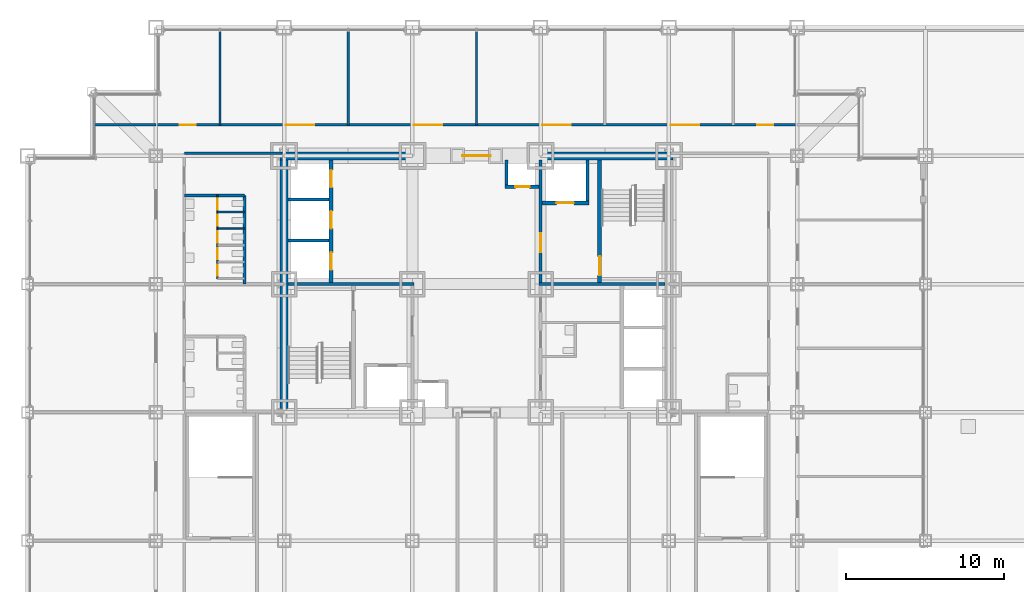
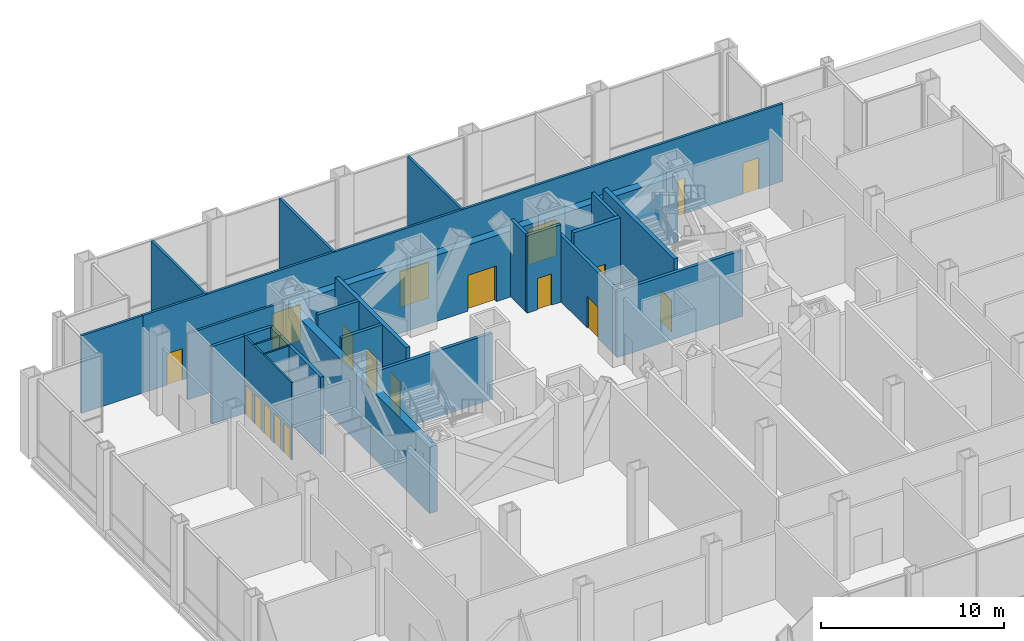
# One storey, part 15 of 18: 24 walls, 19 doors, 19 openings.
"""IFC4 building model written with IfcOpenShell, lengths in metres."""

from ifc_helpers import new_model, si_unit, direction, frame, frame_2d, origin, place, context, subcontext, project, spatial, rectangle, extrude, material, layer, layer_set, type_object, element, fill, save


model = new_model("IFC4")

# Units and contexts
model_context = context("Model", 3, precision=1e-05, world=origin(), true_north=direction((0.0, 1.0)))
body_context = subcontext(model_context, "Body", "Model", "MODEL_VIEW")
ifc_project = project(units=[si_unit("LENGTHUNIT", "METRE"), si_unit("AREAUNIT", "SQUARE_METRE"), si_unit("VOLUMEUNIT", "CUBIC_METRE"), si_unit("PLANEANGLEUNIT", "RADIAN"), si_unit("MASSUNIT", "GRAM", prefix="KILO")], contexts=[model_context])

# Site, building, storey
site_placement = place(None, origin())
site = spatial("IfcSite", under=ifc_project, at=site_placement, CompositionType="ELEMENT")
building_placement = place(site_placement, origin())
building = spatial("IfcBuilding", under=site, at=building_placement, Name="Kopane Lantern Tower", CompositionType="ELEMENT")
storey_placement = place(building_placement, frame((0.0, 0.0, 22.199951171875)))
storey = spatial("IfcBuildingStorey", under=building, at=storey_placement, Name="L04", CompositionType="ELEMENT", Elevation=22.199951171875)

# Wall, openings, doors
ifc_material_1 = material(Name="Moisture-resistant board on steel studs", Category="steel")
ifc_layer_1 = layer(ifc_material_1, 0.10009765625)
ifc_layer_set_1 = layer_set([ifc_layer_1], Name="BATHROOM WALL 100")
wall_type_1 = type_object("IfcWallType", Name="BATHROOM WALL 100", PredefinedType="PARTITIONING", material=ifc_layer_set_1)
wall_1_placement = place(storey_placement, frame((12.0, 32.75, 0.0), z_axis=(0.0, 0.0, 1.0), x_axis=(0.0, 1.0, 0.0)))
wall_1 = element("IfcWall", 1, at=wall_1_placement, inside=storey, type_object=wall_type_1, Name="Bathroom Wall 100 L04", PredefinedType="PARTITIONING", context=body_context, shape_type="SweptSolid", body=[
    extrude(rectangle(XDim=5.25, YDim=0.10009765625, at=frame_2d((2.625, 0.0))), origin(), (0.0, 0.0, 1.0), 5.18994140625),
])
opening_1_placement = place(wall_1_placement, frame((0.175048828125, 0.0, 0.0)))
opening_1 = element("IfcOpeningElement", 2, at=opening_1_placement, cuts=wall_1, Name="Opening L04-036", PredefinedType="OPENING", context=body_context, shape_type="SweptSolid", body=[
    extrude(rectangle(XDim=0.699951171875, YDim=2.0, at=frame_2d((0.35009765625, 1.0))), frame((0.0, 0.06005859375, 0.0), z_axis=(0.0, -1.0, 0.0), x_axis=(1.0, 0.0, 0.0)), (0.0, 0.0, 1.0), 0.1201171875),
])
opening_2_placement = place(wall_1_placement, frame((1.22509765625, 0.0, 0.0)))
opening_2 = element("IfcOpeningElement", 3, at=opening_2_placement, cuts=wall_1, Name="Opening L04-037", PredefinedType="OPENING", context=body_context, shape_type="SweptSolid", body=[
    extrude(rectangle(XDim=0.699951171875, YDim=2.0, at=frame_2d((0.35009765625, 1.0))), frame((0.0, 0.06005859375, 0.0), z_axis=(0.0, -1.0, 0.0), x_axis=(1.0, 0.0, 0.0)), (0.0, 0.0, 1.0), 0.1201171875),
])
opening_3_placement = place(wall_1_placement, frame((2.27490234375, 0.0, 0.0)))
opening_3 = element("IfcOpeningElement", 4, at=opening_3_placement, cuts=wall_1, Name="Opening L04-038", PredefinedType="OPENING", context=body_context, shape_type="SweptSolid", body=[
    extrude(rectangle(XDim=0.699951171875, YDim=2.0, at=frame_2d((0.35009765625, 1.0))), frame((0.0, 0.06005859375, 0.0), z_axis=(0.0, -1.0, 0.0), x_axis=(1.0, 0.0, 0.0)), (0.0, 0.0, 1.0), 0.1201171875),
])
opening_4_placement = place(wall_1_placement, frame((3.324951171875, 0.0, 0.0)))
opening_4 = element("IfcOpeningElement", 5, at=opening_4_placement, cuts=wall_1, Name="Opening L04-039", PredefinedType="OPENING", context=body_context, shape_type="SweptSolid", body=[
    extrude(rectangle(XDim=0.699951171875, YDim=2.0, at=frame_2d((0.35009765625, 1.0))), frame((0.0, 0.06005859375, 0.0), z_axis=(0.0, -1.0, 0.0), x_axis=(1.0, 0.0, 0.0)), (0.0, 0.0, 1.0), 0.1201171875),
])
opening_5_placement = place(wall_1_placement, frame((4.35009765625, 0.0, 0.0)))
opening_5 = element("IfcOpeningElement", 6, at=opening_5_placement, cuts=wall_1, Name="Opening L04-040", PredefinedType="OPENING", context=body_context, shape_type="SweptSolid", body=[
    extrude(rectangle(XDim=0.699951171875, YDim=2.0, at=frame_2d((0.35009765625, 1.0))), frame((0.0, 0.06005859375, 0.0), z_axis=(0.0, -1.0, 0.0), x_axis=(1.0, 0.0, 0.0)), (0.0, 0.0, 1.0), 0.1201171875),
])
ifc_material_2 = material(Name="Timber door set", Category="wood")
door_type_1 = type_object("IfcDoorType", Name="DOOR D13 700x2000 WC CUBICLE", OperationType="SINGLE_SWING_LEFT", PredefinedType="DOOR", material=ifc_material_2)
door_1_placement = place(opening_1_placement, origin())
door_1 = element("IfcDoor", 7, at=door_1_placement, inside=storey, type_object=door_type_1, Name="Door L04-036", OperationType="SINGLE_SWING_LEFT", OverallHeight=2.0, OverallWidth=0.699951171875, PredefinedType="DOOR", context=body_context, shape_type="SweptSolid", body=[
    extrude(rectangle(XDim=0.699951171875, YDim=2.0, at=frame_2d((0.35009765625, 1.0))), frame((0.0, 0.02490234375, 0.0), z_axis=(0.0, -1.0, 0.0), x_axis=(1.0, 0.0, 0.0)), (0.0, 0.0, 1.0), 0.050048828125),
])
fill(opening_1, door_1)
door_2_placement = place(opening_2_placement, origin())
door_2 = element("IfcDoor", 8, at=door_2_placement, inside=storey, type_object=door_type_1, Name="Door L04-037", OperationType="SINGLE_SWING_RIGHT", OverallHeight=2.0, OverallWidth=0.699951171875, PredefinedType="DOOR", context=body_context, shape_type="SweptSolid", body=[
    extrude(rectangle(XDim=0.699951171875, YDim=2.0, at=frame_2d((0.35009765625, 1.0))), frame((0.0, 0.02490234375, 0.0), z_axis=(0.0, -1.0, 0.0), x_axis=(1.0, 0.0, 0.0)), (0.0, 0.0, 1.0), 0.050048828125),
])
fill(opening_2, door_2)
door_3_placement = place(opening_3_placement, origin())
door_3 = element("IfcDoor", 9, at=door_3_placement, inside=storey, type_object=door_type_1, Name="Door L04-038", OperationType="SINGLE_SWING_LEFT", OverallHeight=2.0, OverallWidth=0.699951171875, PredefinedType="DOOR", context=body_context, shape_type="SweptSolid", body=[
    extrude(rectangle(XDim=0.699951171875, YDim=2.0, at=frame_2d((0.35009765625, 1.0))), frame((0.0, 0.02490234375, 0.0), z_axis=(0.0, -1.0, 0.0), x_axis=(1.0, 0.0, 0.0)), (0.0, 0.0, 1.0), 0.050048828125),
])
fill(opening_3, door_3)
door_4_placement = place(opening_4_placement, origin())
door_4 = element("IfcDoor", 10, at=door_4_placement, inside=storey, type_object=door_type_1, Name="Door L04-039", OperationType="SINGLE_SWING_RIGHT", OverallHeight=2.0, OverallWidth=0.699951171875, PredefinedType="DOOR", context=body_context, shape_type="SweptSolid", body=[
    extrude(rectangle(XDim=0.699951171875, YDim=2.0, at=frame_2d((0.35009765625, 1.0))), frame((0.0, 0.02490234375, 0.0), z_axis=(0.0, -1.0, 0.0), x_axis=(1.0, 0.0, 0.0)), (0.0, 0.0, 1.0), 0.050048828125),
])
fill(opening_4, door_4)
door_5_placement = place(opening_5_placement, origin())
door_5 = element("IfcDoor", 11, at=door_5_placement, inside=storey, type_object=door_type_1, Name="Door L04-040", OperationType="SINGLE_SWING_LEFT", OverallHeight=2.0, OverallWidth=0.699951171875, PredefinedType="DOOR", context=body_context, shape_type="SweptSolid", body=[
    extrude(rectangle(XDim=0.699951171875, YDim=2.0, at=frame_2d((0.35009765625, 1.0))), frame((0.0, 0.02490234375, 0.0), z_axis=(0.0, -1.0, 0.0), x_axis=(1.0, 0.0, 0.0)), (0.0, 0.0, 1.0), 0.050048828125),
])
fill(opening_5, door_5)

# Walls
for number, where, z_axis, x_axis, name in (
    (12, (12.0, 35.89990234375, 0.0), (0.0, 0.0, 1.0), (1.0, 0.0, 0.0), "Bathroom Wall 100 L04"),
    (13, (12.0, 36.949951171875, 0.0), (0.0, 0.0, 1.0), (1.0, 0.0, 0.0), "Bathroom Wall 100 L04"),
):
    element("IfcWall", number, at=place(storey_placement, frame(where, z_axis=z_axis, x_axis=x_axis)), inside=storey, type_object=wall_type_1, Name=name, PredefinedType="PARTITIONING", context=body_context, shape_type="SweptSolid", body=[
        extrude(rectangle(XDim=1.699951171875, YDim=0.10009765625, at=frame_2d((0.85009765625, 0.0))), origin(), (0.0, 0.0, 1.0), 5.18994140625),
    ])

# Wall, opening, door
ifc_material_3 = material(Name="Gypsum shaft wall EI 120", Category="gypsum")
ifc_layer_2 = layer(ifc_material_3, 0.5)
ifc_layer_set_2 = layer_set([ifc_layer_2], Name="CORE PERIMETER WALL 500 EI 120")
wall_type_2 = type_object("IfcWallType", Name="CORE PERIMETER WALL 500 EI 120", PredefinedType="SOLIDWALL", material=ifc_layer_set_2)
wall_2_placement = place(storey_placement, frame((15.949951171875, 40.5, 0.0), z_axis=(0.0, 0.0, 1.0), x_axis=(1.0, 0.0, 0.0)))
wall_2 = element("IfcWall", 14, at=wall_2_placement, inside=storey, type_object=wall_type_2, Name="Core shaft wall L04 PN", PredefinedType="SOLIDWALL", context=body_context, shape_type="SweptSolid", body=[
    extrude(rectangle(XDim=24.800048828125, YDim=0.5, at=frame_2d((12.39990234375, 0.0))), origin(), (0.0, 0.0, 1.0), 4.427734375),
])
opening_6_placement = place(wall_2_placement, frame((11.5, 0.0, 0.0)))
opening_6 = element("IfcOpeningElement", 15, at=opening_6_placement, cuts=wall_2, Name="Opening 04.CE-N", PredefinedType="OPENING", context=body_context, shape_type="SweptSolid", body=[
    extrude(rectangle(XDim=1.800048828125, YDim=2.39990234375, at=frame_2d((0.89990234375, 1.199951171875))), frame((0.0, 0.260009765625, 0.0), z_axis=(0.0, -1.0, 0.0), x_axis=(1.0, 0.0, 0.0)), (0.0, 0.0, 1.0), 0.52001953125),
])
ifc_material_4 = material(Name="Steel door set", Category="steel")
door_type_2 = type_object("IfcDoorType", Name="CORE ENTRY DOOR 1800x2400 FD60S", OperationType="DOUBLE_DOOR_SINGLE_SWING", PredefinedType="DOOR", material=ifc_material_4)
door_6_placement = place(opening_6_placement, origin())
door_6 = element("IfcDoor", 16, at=door_6_placement, inside=storey, type_object=door_type_2, Name="Core entry door L04 north", OperationType="DOUBLE_DOOR_SINGLE_SWING", OverallHeight=2.39990234375, OverallWidth=1.800048828125, PredefinedType="DOOR", context=body_context, shape_type="SweptSolid", body=[
    extrude(rectangle(XDim=1.800048828125, YDim=2.39990234375, at=frame_2d((0.89990234375, 1.199951171875))), frame((0.0, 0.02490234375, 0.0), z_axis=(0.0, -1.0, 0.0), x_axis=(1.0, 0.0, 0.0)), (0.0, 0.0, 1.0), 0.050048828125),
])
fill(opening_6, door_6)

# Wall
wall_3_placement = place(storey_placement, frame((16.199951171875, 24.550048828125, 0.0), z_axis=(0.0, 0.0, 1.0), x_axis=(0.0, 1.0, 0.0)))
element("IfcWall", 17, at=wall_3_placement, inside=storey, type_object=wall_type_2, Name="Core shaft wall L04 PW", PredefinedType="SOLIDWALL", context=body_context, shape_type="SweptSolid", body=[
    extrude(rectangle(XDim=15.699951171875, YDim=0.5, at=frame_2d((7.85009765625, 0.0))), origin(), (0.0, 0.0, 1.0), 4.427734375),
])

# Wall, openings, doors
ifc_material_5 = material(Name="Gypsum shaft wall EI 120", Category="gypsum")
ifc_layer_3 = layer(ifc_material_5, 0.25)
ifc_layer_set_3 = layer_set([ifc_layer_3], Name="CORE SHAFT WALL 250 EI 120")
wall_type_3 = type_object("IfcWallType", Name="CORE SHAFT WALL 250 EI 120", PredefinedType="SOLIDWALL", material=ifc_layer_set_3)
wall_4_placement = place(storey_placement, frame((19.175048828125, 32.5, 0.0), z_axis=(0.0, 0.0, 1.0), x_axis=(0.0, 1.0, 0.0)))
wall_4 = element("IfcWall", 18, at=wall_4_placement, inside=storey, type_object=wall_type_3, Name="Core shaft wall L04 XLH", PredefinedType="SOLIDWALL", context=body_context, shape_type="SweptSolid", body=[
    extrude(rectangle(XDim=7.75, YDim=0.25, at=frame_2d((3.875, 0.0))), origin(), (0.0, 0.0, 1.0), 5.18994140625),
])
opening_7_placement = place(wall_4_placement, frame((0.800048828125, 0.0, 0.0)))
opening_7 = element("IfcOpeningElement", 19, at=opening_7_placement, cuts=wall_4, Name="Opening 04.LD-LH1", PredefinedType="OPENING", context=body_context, shape_type="SweptSolid", body=[
    extrude(rectangle(XDim=1.10009765625, YDim=2.39990234375, at=frame_2d((0.550048828125, 1.199951171875))), frame((0.0, 0.135009765625, 0.0), z_axis=(0.0, -1.0, 0.0), x_axis=(1.0, 0.0, 0.0)), (0.0, 0.0, 1.0), 0.27001953125),
])
opening_8_placement = place(wall_4_placement, frame((3.39990234375, 0.0, 0.0)))
opening_8 = element("IfcOpeningElement", 20, at=opening_8_placement, cuts=wall_4, Name="Opening 04.LD-LH2", PredefinedType="OPENING", context=body_context, shape_type="SweptSolid", body=[
    extrude(rectangle(XDim=1.10009765625, YDim=2.39990234375, at=frame_2d((0.550048828125, 1.199951171875))), frame((0.0, 0.135009765625, 0.0), z_axis=(0.0, -1.0, 0.0), x_axis=(1.0, 0.0, 0.0)), (0.0, 0.0, 1.0), 0.27001953125),
])
opening_9_placement = place(wall_4_placement, frame((6.0, 0.0, 0.0)))
opening_9 = element("IfcOpeningElement", 21, at=opening_9_placement, cuts=wall_4, Name="Opening 04.LD-LH3", PredefinedType="OPENING", context=body_context, shape_type="SweptSolid", body=[
    extrude(rectangle(XDim=1.10009765625, YDim=2.39990234375, at=frame_2d((0.550048828125, 1.199951171875))), frame((0.0, 0.135009765625, 0.0), z_axis=(0.0, -1.0, 0.0), x_axis=(1.0, 0.0, 0.0)), (0.0, 0.0, 1.0), 0.27001953125),
])
ifc_material_6 = material(Name="Steel door set", Category="steel")
door_type_3 = type_object("IfcDoorType", Name="LIFT LANDING DOOR 1100x2400 FD60", OperationType="DOUBLE_DOOR_SLIDING", PredefinedType="DOOR", material=ifc_material_6)
door_7_placement = place(opening_7_placement, origin())
door_7 = element("IfcDoor", 22, at=door_7_placement, inside=storey, type_object=door_type_3, Name="Landing door LH1 L04", OperationType="DOUBLE_DOOR_SLIDING", OverallHeight=2.39990234375, OverallWidth=1.10009765625, PredefinedType="DOOR", context=body_context, shape_type="SweptSolid", body=[
    extrude(rectangle(XDim=1.10009765625, YDim=2.39990234375, at=frame_2d((0.550048828125, 1.199951171875))), frame((0.0, 0.02490234375, 0.0), z_axis=(0.0, -1.0, 0.0), x_axis=(1.0, 0.0, 0.0)), (0.0, 0.0, 1.0), 0.050048828125),
])
fill(opening_7, door_7)
door_8_placement = place(opening_8_placement, origin())
door_8 = element("IfcDoor", 23, at=door_8_placement, inside=storey, type_object=door_type_3, Name="Landing door LH2 L04", OperationType="DOUBLE_DOOR_SLIDING", OverallHeight=2.39990234375, OverallWidth=1.10009765625, PredefinedType="DOOR", context=body_context, shape_type="SweptSolid", body=[
    extrude(rectangle(XDim=1.10009765625, YDim=2.39990234375, at=frame_2d((0.550048828125, 1.199951171875))), frame((0.0, 0.02490234375, 0.0), z_axis=(0.0, -1.0, 0.0), x_axis=(1.0, 0.0, 0.0)), (0.0, 0.0, 1.0), 0.050048828125),
])
fill(opening_8, door_8)
door_9_placement = place(opening_9_placement, origin())
door_9 = element("IfcDoor", 24, at=door_9_placement, inside=storey, type_object=door_type_3, Name="Landing door LH3 L04", OperationType="DOUBLE_DOOR_SLIDING", OverallHeight=2.39990234375, OverallWidth=1.10009765625, PredefinedType="DOOR", context=body_context, shape_type="SweptSolid", body=[
    extrude(rectangle(XDim=1.10009765625, YDim=2.39990234375, at=frame_2d((0.550048828125, 1.199951171875))), frame((0.0, 0.02490234375, 0.0), z_axis=(0.0, -1.0, 0.0), x_axis=(1.0, 0.0, 0.0)), (0.0, 0.0, 1.0), 0.050048828125),
])
fill(opening_9, door_9)

# Wall, opening, door
wall_5_placement = place(storey_placement, frame((36.125, 32.5, 0.0), z_axis=(0.0, 0.0, 1.0), x_axis=(0.0, 1.0, 0.0)))
wall_5 = element("IfcWall", 25, at=wall_5_placement, inside=storey, type_object=wall_type_3, Name="Core shaft wall L04 XST2", PredefinedType="SOLIDWALL", context=body_context, shape_type="SweptSolid", body=[
    extrude(rectangle(XDim=7.75, YDim=0.25, at=frame_2d((3.875, 0.0))), origin(), (0.0, 0.0, 1.0), 5.18994140625),
])
opening_10_placement = place(wall_5_placement, frame((0.449951171875, 0.0, 0.0)))
opening_10 = element("IfcOpeningElement", 26, at=opening_10_placement, cuts=wall_5, Name="Opening 04.SD2", PredefinedType="OPENING", context=body_context, shape_type="SweptSolid", body=[
    extrude(rectangle(XDim=1.199951171875, YDim=2.10009765625, at=frame_2d((0.60009765625, 1.050048828125))), frame((0.0, 0.135009765625, 0.0), z_axis=(0.0, -1.0, 0.0), x_axis=(1.0, 0.0, 0.0)), (0.0, 0.0, 1.0), 0.27001953125),
])
ifc_material_7 = material(Name="Steel door set", Category="steel")
door_type_4 = type_object("IfcDoorType", Name="STAIR DOOR 1200x2100 FD60S", OperationType="SINGLE_SWING_LEFT", PredefinedType="DOOR", material=ifc_material_7)
door_10_placement = place(opening_10_placement, origin())
door_10 = element("IfcDoor", 27, at=door_10_placement, inside=storey, type_object=door_type_4, Name="Stair door ST2 L04", OperationType="SINGLE_SWING_RIGHT", OverallHeight=2.10009765625, OverallWidth=1.199951171875, PredefinedType="DOOR", context=body_context, shape_type="SweptSolid", body=[
    extrude(rectangle(XDim=1.199951171875, YDim=2.10009765625, at=frame_2d((0.60009765625, 1.050048828125))), frame((0.0, 0.02490234375, 0.0), z_axis=(0.0, -1.0, 0.0), x_axis=(1.0, 0.0, 0.0)), (0.0, 0.0, 1.0), 0.050048828125),
])
fill(opening_10, door_10)

wall_6_placement = place(storey_placement, frame((32.5, 37.52490234375, 0.0), z_axis=(0.0, 0.0, 1.0), x_axis=(1.0, 0.0, 0.0)))
wall_6 = element("IfcWall", 28, at=wall_6_placement, inside=storey, type_object=wall_type_3, Name="Core shaft wall L04 YLF2", PredefinedType="SOLIDWALL", context=body_context, shape_type="SweptSolid", body=[
    extrude(rectangle(XDim=2.949951171875, YDim=0.25, at=frame_2d((1.47509765625, 0.0))), origin(), (0.0, 0.0, 1.0), 5.18994140625),
])
opening_11_placement = place(wall_6_placement, frame((0.89990234375, 0.0, 0.0)))
opening_11 = element("IfcOpeningElement", 29, at=opening_11_placement, cuts=wall_6, Name="Opening 04.LD-LF2", PredefinedType="OPENING", context=body_context, shape_type="SweptSolid", body=[
    extrude(rectangle(XDim=1.10009765625, YDim=2.39990234375, at=frame_2d((0.550048828125, 1.199951171875))), frame((0.0, 0.135009765625, 0.0), z_axis=(0.0, -1.0, 0.0), x_axis=(1.0, 0.0, 0.0)), (0.0, 0.0, 1.0), 0.27001953125),
])
door_11_placement = place(opening_11_placement, origin())
door_11 = element("IfcDoor", 30, at=door_11_placement, inside=storey, type_object=door_type_3, Name="Landing door LF2 L04", OperationType="DOUBLE_DOOR_SLIDING", OverallHeight=2.39990234375, OverallWidth=1.10009765625, PredefinedType="DOOR", context=body_context, shape_type="SweptSolid", body=[
    extrude(rectangle(XDim=1.10009765625, YDim=2.39990234375, at=frame_2d((0.550048828125, 1.199951171875))), frame((0.0, 0.02490234375, 0.0), z_axis=(0.0, -1.0, 0.0), x_axis=(1.0, 0.0, 0.0)), (0.0, 0.0, 1.0), 0.050048828125),
])
fill(opening_11, door_11)

# Wall, openings, doors
ifc_material_8 = material(Name="Gypsum board on steel studs", Category="steel")
ifc_layer_4 = layer(ifc_material_8, 0.14990234375)
ifc_layer_set_4 = layer_set([ifc_layer_4], Name="CORRIDOR WALL 150 EI 60")
wall_type_4 = type_object("IfcWallType", Name="CORRIDOR WALL 150 EI 60", PredefinedType="PARTITIONING", material=ifc_layer_set_4)
wall_7_placement = place(storey_placement, frame((8.10009765625, 42.449951171875, 0.0), z_axis=(0.0, 0.0, 1.0), x_axis=(1.0, 0.0, 0.0)))
wall_7 = element("IfcWall", 31, at=wall_7_placement, inside=storey, type_object=wall_type_4, Name="Corridor Wall 150 Ei 60 L04", PredefinedType="PARTITIONING", context=body_context, shape_type="SweptSolid", body=[
    extrude(rectangle(XDim=40.5, YDim=0.14990234375, at=frame_2d((20.25, 0.0))), origin(), (0.0, 0.0, 1.0), 5.18994140625),
])
opening_12_placement = place(wall_7_placement, frame((8.199951171875, 0.0, 0.0)))
opening_12 = element("IfcOpeningElement", 32, at=opening_12_placement, cuts=wall_7, Name="Opening L04-015", PredefinedType="OPENING", context=body_context, shape_type="SweptSolid", body=[
    extrude(rectangle(XDim=1.800048828125, YDim=2.39990234375, at=frame_2d((0.89990234375, 1.199951171875))), frame((0.0, 0.0849609375, 0.0), z_axis=(0.0, -1.0, 0.0), x_axis=(1.0, 0.0, 0.0)), (0.0, 0.0, 1.0), 0.169921875),
])
opening_13_placement = place(wall_7_placement, frame((16.300048828125, 0.0, 0.0)))
opening_13 = element("IfcOpeningElement", 33, at=opening_13_placement, cuts=wall_7, Name="Opening L04-016", PredefinedType="OPENING", context=body_context, shape_type="SweptSolid", body=[
    extrude(rectangle(XDim=1.800048828125, YDim=2.39990234375, at=frame_2d((0.89990234375, 1.199951171875))), frame((0.0, 0.0849609375, 0.0), z_axis=(0.0, -1.0, 0.0), x_axis=(1.0, 0.0, 0.0)), (0.0, 0.0, 1.0), 0.169921875),
])
opening_14_placement = place(wall_7_placement, frame((24.39990234375, 0.0, 0.0)))
opening_14 = element("IfcOpeningElement", 34, at=opening_14_placement, cuts=wall_7, Name="Opening L04-017", PredefinedType="OPENING", context=body_context, shape_type="SweptSolid", body=[
    extrude(rectangle(XDim=1.800048828125, YDim=2.39990234375, at=frame_2d((0.89990234375, 1.199951171875))), frame((0.0, 0.0849609375, 0.0), z_axis=(0.0, -1.0, 0.0), x_axis=(1.0, 0.0, 0.0)), (0.0, 0.0, 1.0), 0.169921875),
])
opening_15_placement = place(wall_7_placement, frame((32.5, 0.0, 0.0)))
opening_15 = element("IfcOpeningElement", 35, at=opening_15_placement, cuts=wall_7, Name="Opening L04-018", PredefinedType="OPENING", context=body_context, shape_type="SweptSolid", body=[
    extrude(rectangle(XDim=1.800048828125, YDim=2.39990234375, at=frame_2d((0.89990234375, 1.199951171875))), frame((0.0, 0.0849609375, 0.0), z_axis=(0.0, -1.0, 0.0), x_axis=(1.0, 0.0, 0.0)), (0.0, 0.0, 1.0), 0.169921875),
])
opening_16_placement = place(wall_7_placement, frame((37.97509765625, 0.0, 0.0)))
opening_16 = element("IfcOpeningElement", 36, at=opening_16_placement, cuts=wall_7, Name="Opening L04-032", PredefinedType="OPENING", context=body_context, shape_type="SweptSolid", body=[
    extrude(rectangle(XDim=1.0, YDim=2.10009765625, at=frame_2d((0.5, 1.050048828125))), frame((0.0, 0.0849609375, 0.0), z_axis=(0.0, -1.0, 0.0), x_axis=(1.0, 0.0, 0.0)), (0.0, 0.0, 1.0), 0.169921875),
])
opening_17_placement = place(wall_7_placement, frame((1.52490234375, 0.0, 0.0)))
opening_17 = element("IfcOpeningElement", 37, at=opening_17_placement, cuts=wall_7, Name="Opening L04-033", PredefinedType="OPENING", context=body_context, shape_type="SweptSolid", body=[
    extrude(rectangle(XDim=1.0, YDim=2.10009765625, at=frame_2d((0.5, 1.050048828125))), frame((0.0, 0.0849609375, 0.0), z_axis=(0.0, -1.0, 0.0), x_axis=(1.0, 0.0, 0.0)), (0.0, 0.0, 1.0), 0.169921875),
])
ifc_material_9 = material(Name="Steel door set", Category="steel")
door_type_5 = type_object("IfcDoorType", Name="DOOR D5 1000x2100 FD60", OperationType="SINGLE_SWING_LEFT", PredefinedType="DOOR", material=ifc_material_9)
door_12_placement = place(opening_16_placement, origin())
door_12 = element("IfcDoor", 38, at=door_12_placement, inside=storey, type_object=door_type_5, Name="Door L04-032", OperationType="SINGLE_SWING_LEFT", OverallHeight=2.10009765625, OverallWidth=1.0, PredefinedType="DOOR", context=body_context, shape_type="SweptSolid", body=[
    extrude(rectangle(XDim=1.0, YDim=2.10009765625, at=frame_2d((0.5, 1.050048828125))), frame((0.0, 0.02490234375, 0.0), z_axis=(0.0, -1.0, 0.0), x_axis=(1.0, 0.0, 0.0)), (0.0, 0.0, 1.0), 0.050048828125),
])
fill(opening_16, door_12)
door_13_placement = place(opening_17_placement, origin())
door_13 = element("IfcDoor", 39, at=door_13_placement, inside=storey, type_object=door_type_5, Name="Door L04-033", OperationType="SINGLE_SWING_RIGHT", OverallHeight=2.10009765625, OverallWidth=1.0, PredefinedType="DOOR", context=body_context, shape_type="SweptSolid", body=[
    extrude(rectangle(XDim=1.0, YDim=2.10009765625, at=frame_2d((0.5, 1.050048828125))), frame((0.0, 0.02490234375, 0.0), z_axis=(0.0, -1.0, 0.0), x_axis=(1.0, 0.0, 0.0)), (0.0, 0.0, 1.0), 0.050048828125),
])
fill(opening_17, door_13)
ifc_material_10 = material(Name="Steel door set", Category="steel")
door_type_6 = type_object("IfcDoorType", Name="DOOR D6 1800x2400 FD30S", OperationType="SINGLE_SWING_LEFT", PredefinedType="DOOR", material=ifc_material_10)
door_14_placement = place(opening_12_placement, origin())
door_14 = element("IfcDoor", 40, at=door_14_placement, inside=storey, type_object=door_type_6, Name="Door L04-015", OperationType="DOUBLE_DOOR_SINGLE_SWING", OverallHeight=2.39990234375, OverallWidth=1.800048828125, PredefinedType="DOOR", context=body_context, shape_type="SweptSolid", body=[
    extrude(rectangle(XDim=1.800048828125, YDim=2.39990234375, at=frame_2d((0.89990234375, 1.199951171875))), frame((0.0, 0.02490234375, 0.0), z_axis=(0.0, -1.0, 0.0), x_axis=(1.0, 0.0, 0.0)), (0.0, 0.0, 1.0), 0.050048828125),
])
fill(opening_12, door_14)
door_15_placement = place(opening_13_placement, origin())
door_15 = element("IfcDoor", 41, at=door_15_placement, inside=storey, type_object=door_type_6, Name="Door L04-016", OperationType="DOUBLE_DOOR_SINGLE_SWING", OverallHeight=2.39990234375, OverallWidth=1.800048828125, PredefinedType="DOOR", context=body_context, shape_type="SweptSolid", body=[
    extrude(rectangle(XDim=1.800048828125, YDim=2.39990234375, at=frame_2d((0.89990234375, 1.199951171875))), frame((0.0, 0.02490234375, 0.0), z_axis=(0.0, -1.0, 0.0), x_axis=(1.0, 0.0, 0.0)), (0.0, 0.0, 1.0), 0.050048828125),
])
fill(opening_13, door_15)
door_16_placement = place(opening_14_placement, origin())
door_16 = element("IfcDoor", 42, at=door_16_placement, inside=storey, type_object=door_type_6, Name="Door L04-017", OperationType="DOUBLE_DOOR_SINGLE_SWING", OverallHeight=2.39990234375, OverallWidth=1.800048828125, PredefinedType="DOOR", context=body_context, shape_type="SweptSolid", body=[
    extrude(rectangle(XDim=1.800048828125, YDim=2.39990234375, at=frame_2d((0.89990234375, 1.199951171875))), frame((0.0, 0.02490234375, 0.0), z_axis=(0.0, -1.0, 0.0), x_axis=(1.0, 0.0, 0.0)), (0.0, 0.0, 1.0), 0.050048828125),
])
fill(opening_14, door_16)
door_17_placement = place(opening_15_placement, origin())
door_17 = element("IfcDoor", 43, at=door_17_placement, inside=storey, type_object=door_type_6, Name="Door L04-018", OperationType="DOUBLE_DOOR_SINGLE_SWING", OverallHeight=2.39990234375, OverallWidth=1.800048828125, PredefinedType="DOOR", context=body_context, shape_type="SweptSolid", body=[
    extrude(rectangle(XDim=1.800048828125, YDim=2.39990234375, at=frame_2d((0.89990234375, 1.199951171875))), frame((0.0, 0.02490234375, 0.0), z_axis=(0.0, -1.0, 0.0), x_axis=(1.0, 0.0, 0.0)), (0.0, 0.0, 1.0), 0.050048828125),
])
fill(opening_15, door_17)

# Walls
wall_8_placement = place(storey_placement, frame((16.068115234375, 40.64990234375, 0.0), z_axis=(0.0, 0.0, 1.0), x_axis=(-1.0, 0.0, 0.0)))
element("IfcWall", 44, at=wall_8_placement, inside=storey, type_object=wall_type_4, Name="Corridor Wall 150 Ei 60 L04", PredefinedType="PARTITIONING", context=body_context, shape_type="SweptSolid", body=[
    extrude(rectangle(XDim=6.168212890625, YDim=0.14990234375, at=frame_2d((3.083984375, 0.0))), origin(), (0.0, 0.0, 1.0), 4.427734375),
])
ifc_material_11 = material(Name="Gypsum board on steel studs", Category="steel")
ifc_layer_5 = layer(ifc_material_11, 0.14990234375)
ifc_layer_set_5 = layer_set([ifc_layer_5], Name="DEMISING WALL 150 EI 60")
wall_type_5 = type_object("IfcWallType", Name="DEMISING WALL 150 EI 60", PredefinedType="PARTITIONING", material=ifc_layer_set_5)
for number, where, z_axis, x_axis, name in (
    (45, (20.25, 42.449951171875, 0.0), (0.0, 0.0, 1.0), (0.0, 1.0, 0.0), "Demising Wall 150 Ei 60 L04"),
    (46, (28.35009765625, 42.449951171875, 0.0), (0.0, 0.0, 1.0), (0.0, 1.0, 0.0), "Demising Wall 150 Ei 60 L04"),
):
    element("IfcWall", number, at=place(storey_placement, frame(where, z_axis=z_axis, x_axis=x_axis)), inside=storey, type_object=wall_type_5, Name=name, PredefinedType="PARTITIONING", context=body_context, shape_type="SweptSolid", body=[
        extrude(rectangle(XDim=5.884521484375, YDim=0.14990234375, at=frame_2d((2.9423828125, 0.0))), origin(), (0.0, 0.0, 1.0), 5.18994140625),
    ])
wall_9_placement = place(storey_placement, frame((4.219970703125, 42.449951171875, 0.0), z_axis=(0.0, 0.0, 1.0), x_axis=(1.0, 0.0, 0.0)))
element("IfcWall", 47, at=wall_9_placement, inside=storey, type_object=wall_type_5, Name="Demising Wall 150 Ei 60 L04", PredefinedType="PARTITIONING", context=body_context, shape_type="SweptSolid", body=[
    extrude(rectangle(XDim=3.880126953125, YDim=0.14990234375, at=frame_2d((1.93994140625, 0.0))), origin(), (0.0, 0.0, 1.0), 5.18994140625),
])
wall_10_placement = place(storey_placement, frame((12.14990234375, 42.449951171875, 0.0), z_axis=(0.0, 0.0, 1.0), x_axis=(0.0, 1.0, 0.0)))
element("IfcWall", 48, at=wall_10_placement, inside=storey, type_object=wall_type_5, Name="Demising Wall 150 Ei 60 L04", PredefinedType="PARTITIONING", context=body_context, shape_type="SweptSolid", body=[
    extrude(rectangle(XDim=5.884521484375, YDim=0.14990234375, at=frame_2d((2.9423828125, 0.0))), origin(), (0.0, 0.0, 1.0), 5.18994140625),
])
ifc_material_12 = material(Name="Concrete masonry", Category="masonry")
ifc_layer_6 = layer(ifc_material_12, 0.199951171875)
ifc_layer_set_6 = layer_set([ifc_layer_6], Name="PLANT ROOM WALL 200 EI 120")
wall_type_6 = type_object("IfcWallType", Name="PLANT ROOM WALL 200 EI 120", PredefinedType="SOLIDWALL", material=ifc_layer_set_6)
wall_11_placement = place(storey_placement, frame((9.89990234375, 38.0, 0.0), z_axis=(0.0, 0.0, 1.0), x_axis=(1.0, 0.0, 0.0)))
element("IfcWall", 49, at=wall_11_placement, inside=storey, type_object=wall_type_6, Name="Plant Room Wall 200 Ei 120 L04", PredefinedType="SOLIDWALL", context=body_context, shape_type="SweptSolid", body=[
    extrude(rectangle(XDim=3.800048828125, YDim=0.199951171875, at=frame_2d((1.89990234375, 0.0))), origin(), (0.0, 0.0, 1.0), 5.18994140625),
])
wall_12_placement = place(storey_placement, frame((13.699951171875, 32.39990234375, 0.0), z_axis=(0.0, 0.0, 1.0), x_axis=(0.0, 1.0, 0.0)))
element("IfcWall", 50, at=wall_12_placement, inside=storey, type_object=wall_type_6, Name="Plant Room Wall 200 Ei 120 L04", PredefinedType="SOLIDWALL", context=body_context, shape_type="SweptSolid", body=[
    extrude(rectangle(XDim=5.60009765625, YDim=0.199951171875, at=frame_2d((2.800048828125, 0.0))), origin(), (0.0, 0.0, 1.0), 5.18994140625),
])
ifc_material_13 = material(Name="Gypsum shaft wall EI 120", Category="gypsum")
ifc_layer_7 = layer(ifc_material_13, 0.199951171875)
ifc_layer_set_7 = layer_set([ifc_layer_7], Name="SHAFT WALL 200 EI 120")
wall_type_7 = type_object("IfcWallType", Name="SHAFT WALL 200 EI 120", PredefinedType="SOLIDWALL", material=ifc_layer_set_7)
wall_13_placement = place(storey_placement, frame((16.449951171875, 32.39990234375, 0.0), z_axis=(0.0, 0.0, 1.0), x_axis=(1.0, 0.0, 0.0)))
element("IfcWall", 51, at=wall_13_placement, inside=storey, type_object=wall_type_7, Name="Core shaft wall L04 Y324W", PredefinedType="SOLIDWALL", context=body_context, shape_type="SweptSolid", body=[
    extrude(rectangle(XDim=7.949951171875, YDim=0.199951171875, at=frame_2d((3.97509765625, 0.0))), origin(), (0.0, 0.0, 1.0), 4.427734375),
])
for number, where, z_axis, x_axis, name in (
    (52, (16.449951171875, 35.14990234375, 0.0), (0.0, 0.0, 1.0), (1.0, 0.0, 0.0), "Core shaft wall L04 YLH12"),
    (53, (16.449951171875, 37.75, 0.0), (0.0, 0.0, 1.0), (1.0, 0.0, 0.0), "Core shaft wall L04 YLH23"),
):
    element("IfcWall", number, at=place(storey_placement, frame(where, z_axis=z_axis, x_axis=x_axis)), inside=storey, type_object=wall_type_7, Name=name, PredefinedType="SOLIDWALL", context=body_context, shape_type="SweptSolid", body=[
        extrude(rectangle(XDim=2.60009765625, YDim=0.199951171875, at=frame_2d((1.300048828125, 0.0))), origin(), (0.0, 0.0, 1.0), 5.18994140625),
    ])
wall_14_placement = place(storey_placement, frame((32.300048828125, 32.39990234375, 0.0), z_axis=(0.0, 0.0, 1.0), x_axis=(1.0, 0.0, 0.0)))
element("IfcWall", 54, at=wall_14_placement, inside=storey, type_object=wall_type_7, Name="Core shaft wall L04 Y324E", PredefinedType="SOLIDWALL", context=body_context, shape_type="SweptSolid", body=[
    extrude(rectangle(XDim=7.949951171875, YDim=0.199951171875, at=frame_2d((3.97509765625, 0.0))), origin(), (0.0, 0.0, 1.0), 4.427734375),
])

# Wall, opening, door
wall_15_placement = place(storey_placement, frame((32.39990234375, 32.5, 0.0), z_axis=(0.0, 0.0, 1.0), x_axis=(0.0, 1.0, 0.0)))
wall_15 = element("IfcWall", 55, at=wall_15_placement, inside=storey, type_object=wall_type_7, Name="Core shaft wall L04 X324", PredefinedType="SOLIDWALL", context=body_context, shape_type="SweptSolid", body=[
    extrude(rectangle(XDim=7.75, YDim=0.199951171875, at=frame_2d((3.875, 0.0))), origin(), (0.0, 0.0, 1.0), 4.427734375),
])
opening_18_placement = place(wall_15_placement, frame((1.89990234375, 0.0, 0.0)))
opening_18 = element("IfcOpeningElement", 56, at=opening_18_placement, cuts=wall_15, Name="Opening 04.FL2", PredefinedType="OPENING", context=body_context, shape_type="SweptSolid", body=[
    extrude(rectangle(XDim=1.199951171875, YDim=2.10009765625, at=frame_2d((0.60009765625, 1.050048828125))), frame((0.0, 0.10986328125, 0.0), z_axis=(0.0, -1.0, 0.0), x_axis=(1.0, 0.0, 0.0)), (0.0, 0.0, 1.0), 0.219970703125),
])
ifc_material_14 = material(Name="Steel door set", Category="steel")
door_type_7 = type_object("IfcDoorType", Name="FIREFIGHTING LOBBY DOOR 1200x2100 FD60S", OperationType="SINGLE_SWING_RIGHT", PredefinedType="DOOR", material=ifc_material_14)
door_18_placement = place(opening_18_placement, origin())
door_18 = element("IfcDoor", 57, at=door_18_placement, inside=storey, type_object=door_type_7, Name="Firefighting lobby door FL2 L04", OperationType="SINGLE_SWING_LEFT", OverallHeight=2.10009765625, OverallWidth=1.199951171875, PredefinedType="DOOR", context=body_context, shape_type="SweptSolid", body=[
    extrude(rectangle(XDim=1.199951171875, YDim=2.10009765625, at=frame_2d((0.60009765625, 1.050048828125))), frame((0.0, 0.02490234375, 0.0), z_axis=(0.0, -1.0, 0.0), x_axis=(1.0, 0.0, 0.0)), (0.0, 0.0, 1.0), 0.050048828125),
])
fill(opening_18, door_18)

# Walls
wall_16_placement = place(storey_placement, frame((35.35009765625, 37.64990234375, 0.0), z_axis=(0.0, 0.0, 1.0), x_axis=(0.0, 1.0, 0.0)))
element("IfcWall", 58, at=wall_16_placement, inside=storey, type_object=wall_type_7, Name="Core shaft wall L04 XLF2", PredefinedType="SOLIDWALL", context=body_context, shape_type="SweptSolid", body=[
    extrude(rectangle(XDim=2.60009765625, YDim=0.199951171875, at=frame_2d((1.300048828125, 0.0))), origin(), (0.0, 0.0, 1.0), 5.18994140625),
])
wall_17_placement = place(storey_placement, frame((30.25, 38.64990234375, 0.0), z_axis=(0.0, 0.0, 1.0), x_axis=(0.0, 1.0, 0.0)))
element("IfcWall", 59, at=wall_17_placement, inside=storey, type_object=wall_type_7, Name="Core shaft wall L04 XRS2", PredefinedType="SOLIDWALL", context=body_context, shape_type="SweptSolid", body=[
    extrude(rectangle(XDim=1.60009765625, YDim=0.199951171875, at=frame_2d((0.800048828125, 0.0))), origin(), (0.0, 0.0, 1.0), 5.18994140625),
])

# Wall, opening, door
wall_18_placement = place(storey_placement, frame((30.14990234375, 38.550048828125, 0.0), z_axis=(0.0, 0.0, 1.0), x_axis=(1.0, 0.0, 0.0)))
wall_18 = element("IfcWall", 60, at=wall_18_placement, inside=storey, type_object=wall_type_7, Name="Core shaft wall L04 YRS2", PredefinedType="SOLIDWALL", context=body_context, shape_type="SweptSolid", body=[
    extrude(rectangle(XDim=2.150146484375, YDim=0.199951171875, at=frame_2d((1.0751953125, 0.0))), origin(), (0.0, 0.0, 1.0), 5.18994140625),
])
opening_19_placement = place(wall_18_placement, frame((0.64990234375, 0.0, 0.0)))
opening_19 = element("IfcOpeningElement", 61, at=opening_19_placement, cuts=wall_18, Name="Opening 04.RS2", PredefinedType="OPENING", context=body_context, shape_type="SweptSolid", body=[
    extrude(rectangle(XDim=0.89990234375, YDim=2.10009765625, at=frame_2d((0.449951171875, 1.050048828125))), frame((0.0, 0.10986328125, 0.0), z_axis=(0.0, -1.0, 0.0), x_axis=(1.0, 0.0, 0.0)), (0.0, 0.0, 1.0), 0.219970703125),
])
ifc_material_15 = material(Name="Steel door set", Category="steel")
door_type_8 = type_object("IfcDoorType", Name="RISER ACCESS DOOR 900x2100 FD60", OperationType="SINGLE_SWING_LEFT", PredefinedType="DOOR", material=ifc_material_15)
door_19_placement = place(opening_19_placement, origin())
door_19 = element("IfcDoor", 62, at=door_19_placement, inside=storey, type_object=door_type_8, Name="Riser access door RS2 L04", OperationType="SINGLE_SWING_LEFT", OverallHeight=2.10009765625, OverallWidth=0.89990234375, PredefinedType="DOOR", context=body_context, shape_type="SweptSolid", body=[
    extrude(rectangle(XDim=0.89990234375, YDim=2.10009765625, at=frame_2d((0.449951171875, 1.050048828125))), frame((0.0, 0.02490234375, 0.0), z_axis=(0.0, -1.0, 0.0), x_axis=(1.0, 0.0, 0.0)), (0.0, 0.0, 1.0), 0.050048828125),
])
fill(opening_19, door_19)

save(model, "model.ifc")
